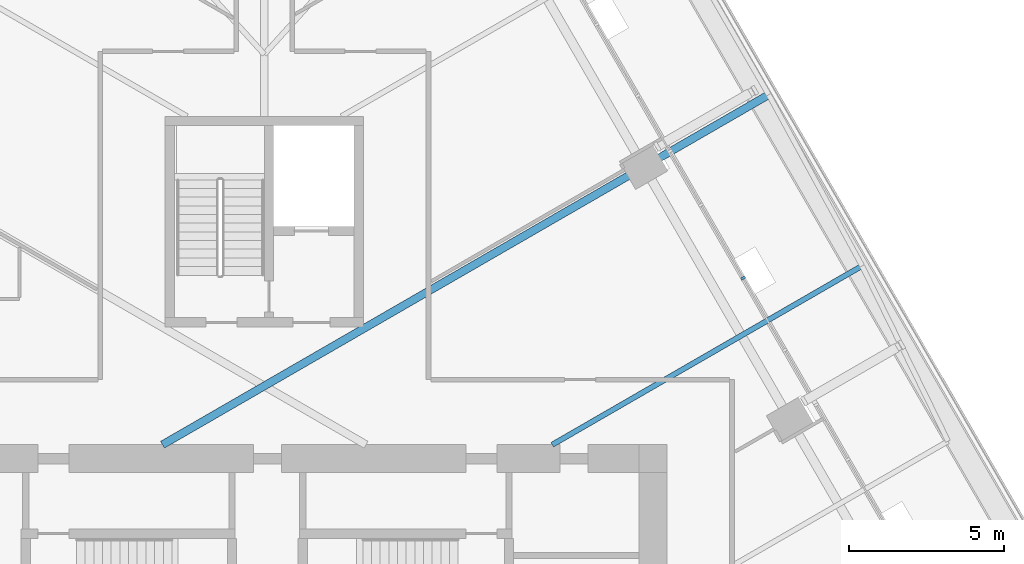
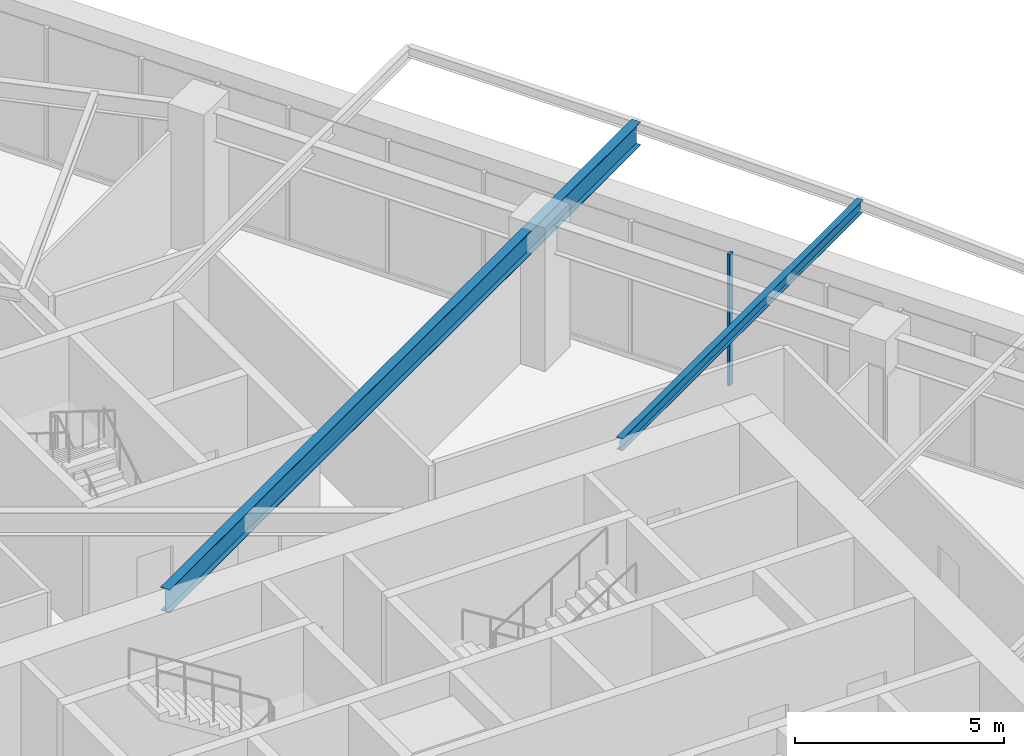
# One storey, part 9 of 29: 2 beams, 1 member, 1 element without a shape of its own.
"""IFC4 building model written with IfcOpenShell, lengths in metres."""

from ifc_helpers import new_model, si_unit, direction, frame, origin, origin_2d, place, context, subcontext, project, spatial, rectangle, i_section, extrude, material, layer, layer_set, material_profile, profile_set, type_object, element, aggregate, save


model = new_model("IFC4")

# Units and contexts
model_context = context("Model", 3, precision=1e-05, world=origin(), true_north=direction((0.0, 1.0)))
body_context = subcontext(model_context, "Body", "Model", "MODEL_VIEW")
ifc_project = project(units=[si_unit("LENGTHUNIT", "METRE"), si_unit("AREAUNIT", "SQUARE_METRE"), si_unit("VOLUMEUNIT", "CUBIC_METRE"), si_unit("PLANEANGLEUNIT", "RADIAN"), si_unit("MASSUNIT", "GRAM", prefix="KILO")], contexts=[model_context])

# Site, building, storey
site_placement = place(None, origin())
site = spatial("IfcSite", under=ifc_project, at=site_placement, CompositionType="ELEMENT")
building_placement = place(site_placement, origin())
building = spatial("IfcBuilding", under=site, at=building_placement, Name="Firuza Gate Tower and Library", CompositionType="ELEMENT")
storey_placement = place(building_placement, frame((0.0, 0.0, 82.0)))
storey = spatial("IfcBuildingStorey", under=building, at=storey_placement, Name="L18", CompositionType="ELEMENT", Elevation=82.0)

# Curtain wall, member
ifc_material_1 = material(Name="Aluminium 6063-T6", Category="aluminium")
ifc_layer = layer(ifc_material_1, 0.14990234375)
ifc_layer_set = layer_set([ifc_layer], Name="Unitised curtain wall, offices")
curtain_wall_type = type_object("IfcCurtainWallType", Name="Unitised curtain wall, offices", PredefinedType="NOTDEFINED", material=ifc_layer_set)
curtain_wall_placement = place(storey_placement, origin())
curtain_wall = element("IfcCurtainWall", 1, at=curtain_wall_placement, inside=storey, type_object=curtain_wall_type, Name="CW1 L18 E face", PredefinedType="NOTDEFINED")
ifc_material_2 = material(Name="Aluminium 6063-T6", Category="aluminium")
ifc_material_profile_1 = material_profile(ifc_material_2, rectangle(XDim=0.14990234375, YDim=0.080078125, at=origin_2d()))
ifc_profile_set_1 = profile_set([ifc_material_profile_1], Name="Aluminium 6063-T6")
member_type = type_object("IfcMemberType", Name="Curtain wall mullion 80x150", PredefinedType="MULLION", material=ifc_profile_set_1)
member_placement = place(storey_placement, frame((90.45654296875, 89.380126953125, 0.14990234375), z_axis=(0.0, 0.0, 1.0), x_axis=(-0.866025403784, -0.5, 0.0)))
member = element("IfcMember", 2, at=member_placement, type_object=member_type, Name="Mullion", PredefinedType="MULLION", context=body_context, shape_type="SweptSolid", body=[
    extrude(rectangle(XDim=0.14990234375, YDim=0.080078125, at=origin_2d()), origin(), (0.0, 0.0, 1.0), 3.85009765625),
])
aggregate(curtain_wall, [member])

# Beams
ifc_material_3 = material(Name="Steel S355", Category="steel")
ifc_material_profile_2 = material_profile(ifc_material_3, i_section(OverallWidth=0.1708984375, OverallDepth=0.35498046875, WebThickness=0.007080078125, FlangeThickness=0.01171875, at=origin_2d()))
ifc_profile_set_2 = profile_set([ifc_material_profile_2], Name="Steel S355")
beam_type_1 = type_object("IfcBeamType", Name="W360x51 Floor beam", PredefinedType="JOIST", material=ifc_profile_set_2)
beam_1_placement = place(storey_placement, frame((94.298583984375, 89.77392578125, 3.822509765625), z_axis=(-0.866030680601, -0.499990860175, 0.0), x_axis=(0.499990860175, -0.866030680601, 0.0)))
element("IfcBeam", 3, at=beam_1_placement, inside=storey, type_object=beam_type_1, Name="Floor beam L18 s53", PredefinedType="JOIST", context=body_context, shape_type="SweptSolid", body=[
    extrude(i_section(OverallWidth=0.1708984375, OverallDepth=0.35498046875, WebThickness=0.007080078125, FlangeThickness=0.01171875, at=origin_2d()), origin(), (0.0, 0.0, 1.0), 11.548095703125),
])
ifc_material_4 = material(Name="Steel S355", Category="steel")
ifc_material_profile_3 = material_profile(ifc_material_4, i_section(OverallWidth=0.2529296875, OverallDepth=0.677978515625, WebThickness=0.01171875, FlangeThickness=0.016357421875, at=origin_2d()))
ifc_profile_set_3 = profile_set([ifc_material_profile_3], Name="Steel S355")
beam_type_2 = type_object("IfcBeamType", Name="W690x125 Floor beam", PredefinedType="JOIST", material=ifc_profile_set_3)
beam_2_placement = place(storey_placement, frame((91.28369140625, 95.29736328125, 3.660888671875), z_axis=(-0.866025622402, -0.499999621343, 0.0), x_axis=(0.499999621343, -0.866025622402, 0.0)))
element("IfcBeam", 4, at=beam_2_placement, inside=storey, type_object=beam_type_2, Name="Floor beam L18 s54", PredefinedType="JOIST", context=body_context, shape_type="SweptSolid", body=[
    extrude(i_section(OverallWidth=0.2529296875, OverallDepth=0.677978515625, WebThickness=0.01171875, FlangeThickness=0.016357421875, at=origin_2d()), origin(), (0.0, 0.0, 1.0), 22.5947265625),
])

save(model, "model.ifc")
